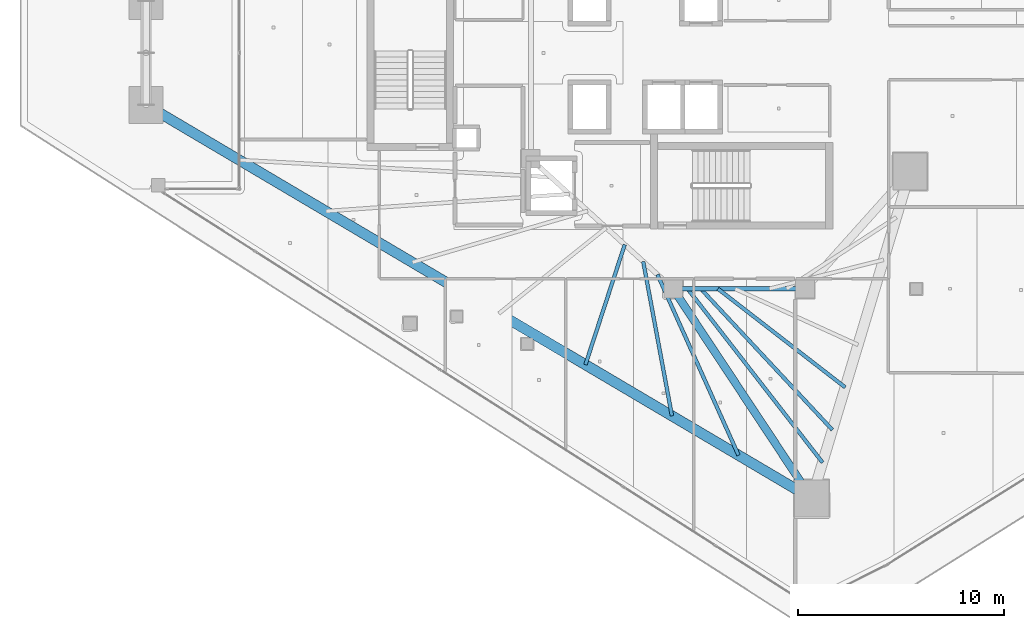
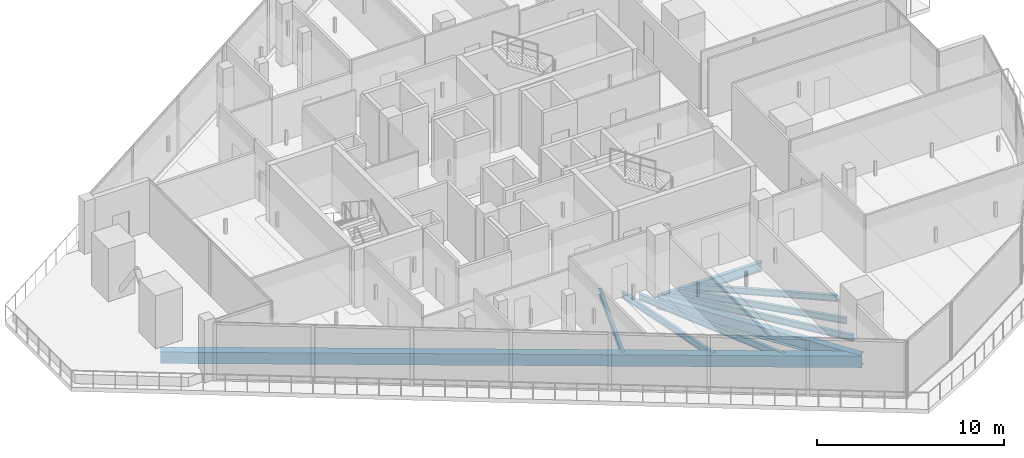
# One storey, part 5 of 36: 9 beams.
"""IFC4 building model written with IfcOpenShell, lengths in metres."""

from ifc_helpers import new_model, si_unit, direction, frame, origin, origin_2d, place, context, subcontext, project, spatial, rectangle, i_section, extrude, material, material_profile, profile_set, type_object, element, save


model = new_model("IFC4")

# Units and contexts
model_context = context("Model", 3, precision=1e-05, world=origin(), true_north=direction((0.0, 1.0)))
body_context = subcontext(model_context, "Body", "Model", "MODEL_VIEW")
ifc_project = project(units=[si_unit("LENGTHUNIT", "METRE"), si_unit("AREAUNIT", "SQUARE_METRE"), si_unit("VOLUMEUNIT", "CUBIC_METRE"), si_unit("PLANEANGLEUNIT", "RADIAN"), si_unit("MASSUNIT", "GRAM", prefix="KILO")], contexts=[model_context])

# Site, building, storey
site_placement = place(None, origin())
site = spatial("IfcSite", under=ifc_project, at=site_placement, CompositionType="ELEMENT")
building_placement = place(site_placement, origin())
building = spatial("IfcBuilding", under=site, at=building_placement, Name="Qorvath Tower", CompositionType="ELEMENT")
storey_placement = place(building_placement, frame((0.0, 0.0, 229.35009765625)))
storey = spatial("IfcBuildingStorey", under=building, at=storey_placement, Name="L53", CompositionType="ELEMENT", Elevation=229.35009765625)

# Beams
ifc_material_1 = material(Name="Steel ASTM A992 Grade 50", Category="steel")
ifc_material_profile_1 = material_profile(ifc_material_1, i_section(OverallWidth=0.381103515625, OverallDepth=0.77294921875, WebThickness=0.0166015625, FlangeThickness=0.027099609375, FilletRadius=0.01904296875, at=origin_2d()), Name="W30x173")
ifc_profile_set_1 = profile_set([ifc_material_profile_1], Name="Steel ASTM A992 Grade 50")
beam_type_1 = type_object("IfcBeamType", Name="BM-FG3", PredefinedType="BEAM", material=ifc_profile_set_1)
beam_1_placement = place(storey_placement, frame((-23.60009765625, -11.449951171875, -0.656494140625), z_axis=(0.551500517741, -0.834174549439, 0.0), x_axis=(0.834174549439, 0.551500517741, 0.0)))
element("IfcBeam", 1, at=beam_1_placement, inside=storey, type_object=beam_type_1, Name="Radial Floor Girder CC4-MC3 L53", PredefinedType="BEAM", context=body_context, shape_type="SweptSolid", body=[
    extrude(i_section(OverallWidth=0.381103515625, OverallDepth=0.77294921875, WebThickness=0.0166015625, FlangeThickness=0.027099609375, FilletRadius=0.01904296875, at=origin_2d()), origin(), (0.0, 0.0, 1.0), 12.200439453125),
])
ifc_material_2 = material(Name="Steel ASTM A992 Grade 50", Category="steel")
ifc_material_profile_2 = material_profile(ifc_material_2, i_section(OverallWidth=0.22998046875, OverallDepth=0.616943359375, WebThickness=0.01318359375, FlangeThickness=0.022216796875, FilletRadius=0.014892578125, at=origin_2d()), Name="W24x94")
ifc_profile_set_2 = profile_set([ifc_material_profile_2], Name="Steel ASTM A992 Grade 50")
beam_type_2 = type_object("IfcBeamType", Name="BM-FG6", PredefinedType="BEAM", material=ifc_profile_set_2)
beam_2_placement = place(storey_placement, frame((-17.199951171875, -11.449951171875, -0.57861328125), z_axis=(-1.0, 0.0, 0.0), x_axis=(0.0, -1.0, 0.0)))
element("IfcBeam", 2, at=beam_2_placement, inside=storey, type_object=beam_type_2, Name="Core Ring Girder CC3-CC4 L53", PredefinedType="BEAM", context=body_context, shape_type="SweptSolid", body=[
    extrude(i_section(OverallWidth=0.22998046875, OverallDepth=0.616943359375, WebThickness=0.01318359375, FlangeThickness=0.022216796875, FilletRadius=0.014892578125, at=origin_2d()), origin(), (0.0, 0.0, 1.0), 6.400146484375),
])
ifc_material_3 = material(Name="Steel ASTM A992 Grade 50", Category="steel")
ifc_material_profile_3 = material_profile(ifc_material_3, i_section(OverallWidth=0.177978515625, OverallDepth=0.406005859375, WebThickness=0.0078125, FlangeThickness=0.0126953125, FilletRadius=0.010986328125, at=origin_2d()), Name="W16x40")
ifc_profile_set_3 = profile_set([ifc_material_profile_3], Name="Steel ASTM A992 Grade 50")
beam_type_3 = type_object("IfcBeamType", Name="BM-FJ3", PredefinedType="JOIST", material=ifc_profile_set_3)
beam_3_placement = place(storey_placement, frame((-21.424072265625, -11.449951171875, -0.472900390625), z_axis=(0.790693445503, -0.612212279555, 0.0), x_axis=(0.612212279555, 0.790693445503, 0.0)))
element("IfcBeam", 3, at=beam_3_placement, inside=storey, type_object=beam_type_3, Name="Composite Floor Joist SE5 L53", PredefinedType="JOIST", context=body_context, shape_type="SweptSolid", body=[
    extrude(i_section(OverallWidth=0.177978515625, OverallDepth=0.406005859375, WebThickness=0.0078125, FlangeThickness=0.0126953125, FilletRadius=0.010986328125, at=origin_2d()), origin(), (0.0, 0.0, 1.0), 7.810546875),
])
beam_4_placement = place(storey_placement, frame((-22.256103515625, -11.449951171875, -0.472900390625), z_axis=(0.682249490937, -0.731119437654, 0.0), x_axis=(0.731119437654, 0.682249490937, 0.0)))
element("IfcBeam", 4, at=beam_4_placement, inside=storey, type_object=beam_type_3, Name="Composite Floor Joist SE6 L53", PredefinedType="JOIST", context=body_context, shape_type="SweptSolid", body=[
    extrude(i_section(OverallWidth=0.177978515625, OverallDepth=0.406005859375, WebThickness=0.0078125, FlangeThickness=0.0126953125, FilletRadius=0.010986328125, at=origin_2d()), origin(), (0.0, 0.0, 1.0), 9.362060546875),
])
beam_5_placement = place(storey_placement, frame((-22.89599609375, -11.449951171875, -0.472900390625), z_axis=(0.61345131907, -0.789732536452, 0.0), x_axis=(0.789732536452, 0.61345131907, 0.0)))
element("IfcBeam", 5, at=beam_5_placement, inside=storey, type_object=beam_type_3, Name="Composite Floor Joist SE7 L53", PredefinedType="JOIST", context=body_context, shape_type="SweptSolid", body=[
    extrude(i_section(OverallWidth=0.177978515625, OverallDepth=0.406005859375, WebThickness=0.0078125, FlangeThickness=0.0126953125, FilletRadius=0.010986328125, at=origin_2d()), origin(), (0.0, 0.0, 1.0), 10.676513671875),
])
beam_6_placement = place(storey_placement, frame((-25.946044921875, -9.30810546875, -0.472900390625), z_axis=(-0.311228747452, -0.950335028692, 0.0), x_axis=(0.950335028692, -0.311228747452, 0.0)))
element("IfcBeam", 6, at=beam_6_placement, inside=storey, type_object=beam_type_3, Name="Composite Floor Joist SW5 L53", PredefinedType="JOIST", context=body_context, shape_type="SweptSolid", body=[
    extrude(i_section(OverallWidth=0.177978515625, OverallDepth=0.406005859375, WebThickness=0.0078125, FlangeThickness=0.0126953125, FilletRadius=0.010986328125, at=origin_2d()), origin(), (0.0, 0.0, 1.0), 6.129638671875),
])
beam_7_placement = place(storey_placement, frame((-25.049072265625, -10.126953125, -0.472900390625), z_axis=(0.183026775988, -0.983107928598, 0.0), x_axis=(0.983107928598, 0.183026775988, 0.0)))
element("IfcBeam", 7, at=beam_7_placement, inside=storey, type_object=beam_type_3, Name="Composite Floor Joist SW6 L53", PredefinedType="JOIST", context=body_context, shape_type="SweptSolid", body=[
    extrude(i_section(OverallWidth=0.177978515625, OverallDepth=0.406005859375, WebThickness=0.0078125, FlangeThickness=0.0126953125, FilletRadius=0.010986328125, at=origin_2d()), origin(), (0.0, 0.0, 1.0), 7.617919921875),
])
beam_8_placement = place(storey_placement, frame((-24.35888671875, -10.757080078125, -0.472900390625), z_axis=(0.409327209141, -0.912387656568, 0.0), x_axis=(0.912387656568, 0.409327209141, 0.0)))
element("IfcBeam", 8, at=beam_8_placement, inside=storey, type_object=beam_type_3, Name="Composite Floor Joist SW7 L53", PredefinedType="JOIST", context=body_context, shape_type="SweptSolid", body=[
    extrude(i_section(OverallWidth=0.177978515625, OverallDepth=0.406005859375, WebThickness=0.0078125, FlangeThickness=0.0126953125, FilletRadius=0.010986328125, at=origin_2d()), origin(), (0.0, 0.0, 1.0), 9.611083984375),
])
ifc_material_4 = material(Name="Concrete C45/55", Category="concrete")
ifc_material_profile_4 = material_profile(ifc_material_4, rectangle(XDim=0.5, YDim=0.75, at=origin_2d()), Name="RCB 750x500")
ifc_profile_set_4 = profile_set([ifc_material_profile_4], Name="Concrete C45/55")
beam_type_4 = type_object("IfcBeamType", Name="BM-RCB3", PredefinedType="SPANDREL", material=ifc_profile_set_4)
beam_9_placement = place(storey_placement, frame((-49.171875, -2.52783203125, -0.64501953125), z_axis=(0.860776759786, -0.50898268125, 0.0), x_axis=(0.50898268125, 0.860776759786, 0.0)))
element("IfcBeam", 9, at=beam_9_placement, inside=storey, type_object=beam_type_4, Name="Perimeter Loggia Frame Beam MC2-MC3 L53", PredefinedType="SPANDREL", context=body_context, shape_type="SweptSolid", body=[
    extrude(rectangle(XDim=0.5, YDim=0.75, at=origin_2d()), origin(), (0.0, 0.0, 1.0), 37.524658203125),
])

save(model, "model.ifc")
